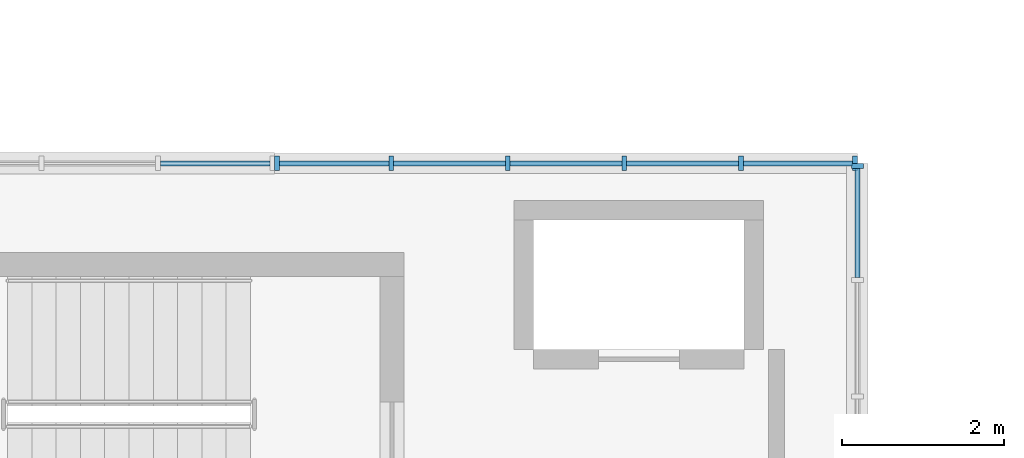
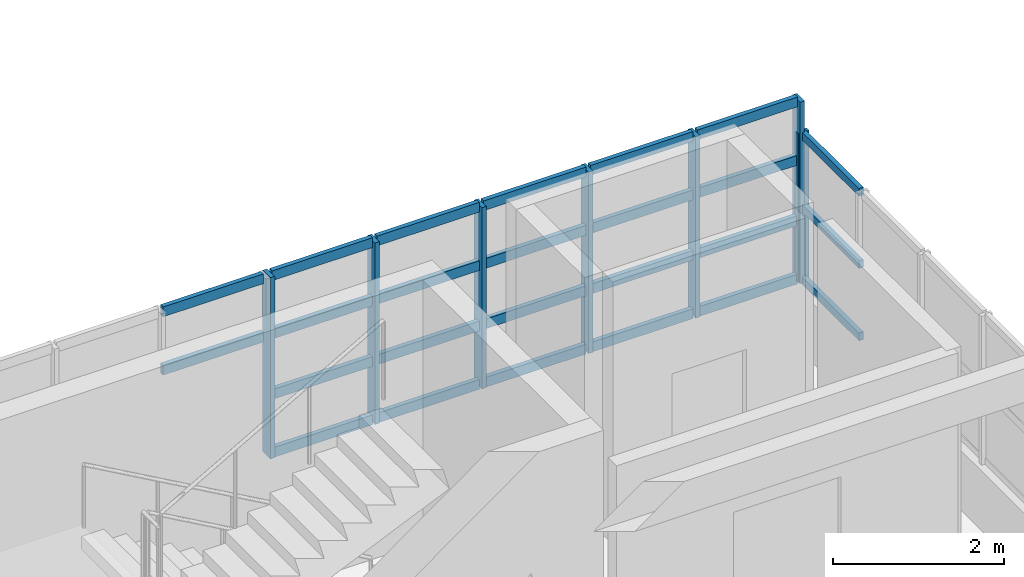
# One storey, part 8 of 53: 32 members, 3 elements without a shape of their own.
"""IFC4 building model written with IfcOpenShell, lengths in metres."""

from ifc_helpers import new_model, si_unit, direction, frame, origin, origin_2d, place, context, subcontext, project, spatial, rectangle, extrude, material, material_profile, profile_set, type_object, element, aggregate, save


model = new_model("IFC4")

# Units and contexts
model_context = context("Model", 3, precision=1e-05, world=origin(), true_north=direction((0.0, 1.0)))
body_context = subcontext(model_context, "Body", "Model", "MODEL_VIEW")
ifc_project = project(units=[si_unit("LENGTHUNIT", "METRE"), si_unit("AREAUNIT", "SQUARE_METRE"), si_unit("VOLUMEUNIT", "CUBIC_METRE"), si_unit("PLANEANGLEUNIT", "RADIAN"), si_unit("MASSUNIT", "GRAM", prefix="KILO")], contexts=[model_context])

# Site, building, storey
site_placement = place(None, origin())
site = spatial("IfcSite", under=ifc_project, at=site_placement, CompositionType="ELEMENT")
building_placement = place(site_placement, origin())
building = spatial("IfcBuilding", under=site, at=building_placement, Name="Nzembalo Square Collegiate School", CompositionType="ELEMENT")
storey_placement = place(building_placement, frame((0.0, 0.0, 13.60009765625)))
storey = spatial("IfcBuildingStorey", under=building, at=storey_placement, Name="L03", CompositionType="ELEMENT", Elevation=13.60009765625)

# Curtain wall, members
ifc_material_1 = material(Name="Aluminium 6060-T66", Category="aluminium")
curtain_wall_type_1 = type_object("IfcCurtainWallType", Name="CW-10", PredefinedType="USERDEFINED", material=ifc_material_1)
curtain_wall_1_placement = place(storey_placement, origin())
curtain_wall_1 = element("IfcCurtainWall", 1, at=curtain_wall_1_placement, inside=storey, type_object=curtain_wall_type_1, Name="Curtain wall CW-10 cw:L03:129", ObjectType="UNITISED", PredefinedType="USERDEFINED")
ifc_material_2 = material(Name="Aluminium 6060-T66", Category="aluminium")
ifc_material_profile_1 = material_profile(ifc_material_2, rectangle(XDim=0.06005859375, YDim=0.179931640625, at=origin_2d()), Name="ALU M60x180")
ifc_profile_set_1 = profile_set([ifc_material_profile_1], Name="Aluminium 6060-T66")
member_type_1 = type_object("IfcMemberType", Name="ML01", PredefinedType="MULLION", material=ifc_profile_set_1)
member_1_placement = place(storey_placement, frame((30.030029296875, 88.800048828125, 0.849853515625), z_axis=(0.0, 0.0, 1.0), x_axis=(1.0, 0.0, 0.0)))
member_1 = element("IfcMember", 2, at=member_1_placement, type_object=member_type_1, Name="ML01 mullion 1", PredefinedType="MULLION", context=body_context, shape_type="SweptSolid", body=[
    extrude(rectangle(XDim=0.06005859375, YDim=0.179931640625, at=origin_2d()), origin(), (0.0, 0.0, 1.0), 2.583984375),
])
member_2_placement = place(storey_placement, frame((31.43994140625, 88.800048828125, 0.849853515625), z_axis=(0.0, 0.0, 1.0), x_axis=(1.0, 0.0, 0.0)))
member_2 = element("IfcMember", 3, at=member_2_placement, type_object=member_type_1, Name="ML01 mullion 2", PredefinedType="MULLION", context=body_context, shape_type="SweptSolid", body=[
    extrude(rectangle(XDim=0.06005859375, YDim=0.179931640625, at=origin_2d()), origin(), (0.0, 0.0, 1.0), 2.583984375),
])
member_3_placement = place(storey_placement, frame((32.8798828125, 88.800048828125, 0.849853515625), z_axis=(0.0, 0.0, 1.0), x_axis=(1.0, 0.0, 0.0)))
member_3 = element("IfcMember", 4, at=member_3_placement, type_object=member_type_1, Name="ML01 mullion 3", PredefinedType="MULLION", context=body_context, shape_type="SweptSolid", body=[
    extrude(rectangle(XDim=0.06005859375, YDim=0.179931640625, at=origin_2d()), origin(), (0.0, 0.0, 1.0), 2.583984375),
])
member_4_placement = place(storey_placement, frame((34.320068359375, 88.800048828125, 0.849853515625), z_axis=(0.0, 0.0, 1.0), x_axis=(1.0, 0.0, 0.0)))
member_4 = element("IfcMember", 5, at=member_4_placement, type_object=member_type_1, Name="ML01 mullion 4", PredefinedType="MULLION", context=body_context, shape_type="SweptSolid", body=[
    extrude(rectangle(XDim=0.06005859375, YDim=0.179931640625, at=origin_2d()), origin(), (0.0, 0.0, 1.0), 2.583984375),
])
member_5_placement = place(storey_placement, frame((35.760009765625, 88.800048828125, 0.849853515625), z_axis=(0.0, 0.0, 1.0), x_axis=(1.0, 0.0, 0.0)))
member_5 = element("IfcMember", 6, at=member_5_placement, type_object=member_type_1, Name="ML01 mullion 5", PredefinedType="MULLION", context=body_context, shape_type="SweptSolid", body=[
    extrude(rectangle(XDim=0.06005859375, YDim=0.179931640625, at=origin_2d()), origin(), (0.0, 0.0, 1.0), 2.583984375),
])
member_6_placement = place(storey_placement, frame((37.169921875, 88.800048828125, 0.849853515625), z_axis=(0.0, 0.0, 1.0), x_axis=(1.0, 0.0, 0.0)))
member_6 = element("IfcMember", 7, at=member_6_placement, type_object=member_type_1, Name="ML01 mullion 6", PredefinedType="MULLION", context=body_context, shape_type="SweptSolid", body=[
    extrude(rectangle(XDim=0.06005859375, YDim=0.179931640625, at=origin_2d()), origin(), (0.0, 0.0, 1.0), 2.583984375),
])

# Curtain wall, member
ifc_material_3 = material(Name="Aluminium 6060-T66", Category="aluminium")
curtain_wall_type_2 = type_object("IfcCurtainWallType", Name="CW-03", PredefinedType="USERDEFINED", material=ifc_material_3)
curtain_wall_2_placement = place(storey_placement, origin())
curtain_wall_2 = element("IfcCurtainWall", 8, at=curtain_wall_2_placement, inside=storey, type_object=curtain_wall_type_2, Name="Curtain wall CW-03 cw:L03:130", ObjectType="UNITISED", PredefinedType="USERDEFINED")
ifc_material_4 = material(Name="Aluminium 6060-T66", Category="aluminium")
ifc_material_profile_2 = material_profile(ifc_material_4, rectangle(XDim=0.06005859375, YDim=0.14990234375, at=origin_2d()), Name="ALU M60x150")
ifc_profile_set_2 = profile_set([ifc_material_profile_2], Name="Aluminium 6060-T66")
member_type_2 = type_object("IfcMemberType", Name="ML02", PredefinedType="MULLION", material=ifc_profile_set_2)
member_7_placement = place(storey_placement, frame((37.199951171875, 88.77001953125, 0.849853515625), z_axis=(0.0, 0.0, 1.0), x_axis=(0.0, 1.0, 0.0)))
member_7 = element("IfcMember", 9, at=member_7_placement, type_object=member_type_2, Name="ML02 mullion 5", PredefinedType="MULLION", context=body_context, shape_type="SweptSolid", body=[
    extrude(rectangle(XDim=0.06005859375, YDim=0.14990234375, at=origin_2d()), origin(), (0.0, 0.0, 1.0), 2.119140625),
])

# Curtain wall, members
ifc_material_5 = material(Name="Aluminium 6060-T66", Category="aluminium")
curtain_wall_type_3 = type_object("IfcCurtainWallType", Name="CW-09", PredefinedType="USERDEFINED", material=ifc_material_5)
curtain_wall_3_placement = place(storey_placement, origin())
curtain_wall_3 = element("IfcCurtainWall", 10, at=curtain_wall_3_placement, inside=storey, type_object=curtain_wall_type_3, Name="Curtain wall CW-09 cw:L03:128", ObjectType="UNITISED", PredefinedType="USERDEFINED")
ifc_material_6 = material(Name="Aluminium 6060-T66", Category="aluminium")
ifc_material_profile_3 = material_profile(ifc_material_6, rectangle(XDim=0.06005859375, YDim=0.139892578125, at=origin_2d()), Name="ALU T60x140")
ifc_profile_set_3 = profile_set([ifc_material_profile_3], Name="Aluminium 6060-T66")
member_type_3 = type_object("IfcMemberType", Name="TR01", PredefinedType="USERDEFINED", material=ifc_profile_set_3)
member_8_placement = place(storey_placement, frame((28.590087890625, 88.800048828125, 2.572509765625), z_axis=(1.0, 0.0, 0.0), x_axis=(0.0, 1.0, 0.0)))
member_8 = element("IfcMember", 11, at=member_8_placement, type_object=member_type_3, Name="TR01 transom 3-5", ObjectType="TRANSOM", PredefinedType="USERDEFINED", context=body_context, shape_type="SweptSolid", body=[
    extrude(rectangle(XDim=0.06005859375, YDim=0.139892578125, at=origin_2d()), origin(), (0.0, 0.0, 1.0), 1.349853515625),
])
member_9_placement = place(storey_placement, frame((28.590087890625, 88.800048828125, 3.40380859375), z_axis=(1.0, 0.0, 0.0), x_axis=(0.0, 1.0, 0.0)))
member_9 = element("IfcMember", 12, at=member_9_placement, type_object=member_type_3, Name="TR01 transom 4-5", ObjectType="TRANSOM", PredefinedType="USERDEFINED", context=body_context, shape_type="SweptSolid", body=[
    extrude(rectangle(XDim=0.06005859375, YDim=0.139892578125, at=origin_2d()), origin(), (0.0, 0.0, 1.0), 1.349853515625),
])
aggregate(curtain_wall_3, [member_8, member_9])

# Member
member_10_placement = place(storey_placement, frame((30.06005859375, 88.800048828125, 0.8798828125), z_axis=(1.0, 0.0, 0.0), x_axis=(0.0, 1.0, 0.0)))
member_10 = element("IfcMember", 13, at=member_10_placement, type_object=member_type_3, Name="TR01 transom 1-1", ObjectType="TRANSOM", PredefinedType="USERDEFINED", context=body_context, shape_type="SweptSolid", body=[
    extrude(rectangle(XDim=0.06005859375, YDim=0.139892578125, at=origin_2d()), origin(), (0.0, 0.0, 1.0), 1.349853515625),
])

member_11_placement = place(storey_placement, frame((31.469970703125, 88.800048828125, 0.8798828125), z_axis=(1.0, 0.0, 0.0), x_axis=(0.0, 1.0, 0.0)))
member_11 = element("IfcMember", 14, at=member_11_placement, type_object=member_type_3, Name="TR01 transom 1-2", ObjectType="TRANSOM", PredefinedType="USERDEFINED", context=body_context, shape_type="SweptSolid", body=[
    extrude(rectangle(XDim=0.06005859375, YDim=0.139892578125, at=origin_2d()), origin(), (0.0, 0.0, 1.0), 1.380126953125),
])

member_12_placement = place(storey_placement, frame((32.909912109375, 88.800048828125, 0.8798828125), z_axis=(1.0, 0.0, 0.0), x_axis=(0.0, 1.0, 0.0)))
member_12 = element("IfcMember", 15, at=member_12_placement, type_object=member_type_3, Name="TR01 transom 1-3", ObjectType="TRANSOM", PredefinedType="USERDEFINED", context=body_context, shape_type="SweptSolid", body=[
    extrude(rectangle(XDim=0.06005859375, YDim=0.139892578125, at=origin_2d()), origin(), (0.0, 0.0, 1.0), 1.380126953125),
])

member_13_placement = place(storey_placement, frame((34.35009765625, 88.800048828125, 0.8798828125), z_axis=(1.0, 0.0, 0.0), x_axis=(0.0, 1.0, 0.0)))
member_13 = element("IfcMember", 16, at=member_13_placement, type_object=member_type_3, Name="TR01 transom 1-4", ObjectType="TRANSOM", PredefinedType="USERDEFINED", context=body_context, shape_type="SweptSolid", body=[
    extrude(rectangle(XDim=0.06005859375, YDim=0.139892578125, at=origin_2d()), origin(), (0.0, 0.0, 1.0), 1.3798828125),
])

member_14_placement = place(storey_placement, frame((35.7900390625, 88.800048828125, 0.8798828125), z_axis=(1.0, 0.0, 0.0), x_axis=(0.0, 1.0, 0.0)))
member_14 = element("IfcMember", 17, at=member_14_placement, type_object=member_type_3, Name="TR01 transom 1-5", ObjectType="TRANSOM", PredefinedType="USERDEFINED", context=body_context, shape_type="SweptSolid", body=[
    extrude(rectangle(XDim=0.06005859375, YDim=0.139892578125, at=origin_2d()), origin(), (0.0, 0.0, 1.0), 1.349853515625),
])

member_15_placement = place(storey_placement, frame((30.06005859375, 88.800048828125, 1.711181640625), z_axis=(1.0, 0.0, 0.0), x_axis=(0.0, 1.0, 0.0)))
member_15 = element("IfcMember", 18, at=member_15_placement, type_object=member_type_3, Name="TR01 transom 2-1", ObjectType="TRANSOM", PredefinedType="USERDEFINED", context=body_context, shape_type="SweptSolid", body=[
    extrude(rectangle(XDim=0.06005859375, YDim=0.139892578125, at=origin_2d()), origin(), (0.0, 0.0, 1.0), 1.349853515625),
])

member_16_placement = place(storey_placement, frame((31.469970703125, 88.800048828125, 1.711181640625), z_axis=(1.0, 0.0, 0.0), x_axis=(0.0, 1.0, 0.0)))
member_16 = element("IfcMember", 19, at=member_16_placement, type_object=member_type_3, Name="TR01 transom 2-2", ObjectType="TRANSOM", PredefinedType="USERDEFINED", context=body_context, shape_type="SweptSolid", body=[
    extrude(rectangle(XDim=0.06005859375, YDim=0.139892578125, at=origin_2d()), origin(), (0.0, 0.0, 1.0), 1.380126953125),
])

member_17_placement = place(storey_placement, frame((32.909912109375, 88.800048828125, 1.711181640625), z_axis=(1.0, 0.0, 0.0), x_axis=(0.0, 1.0, 0.0)))
member_17 = element("IfcMember", 20, at=member_17_placement, type_object=member_type_3, Name="TR01 transom 2-3", ObjectType="TRANSOM", PredefinedType="USERDEFINED", context=body_context, shape_type="SweptSolid", body=[
    extrude(rectangle(XDim=0.06005859375, YDim=0.139892578125, at=origin_2d()), origin(), (0.0, 0.0, 1.0), 1.380126953125),
])

member_18_placement = place(storey_placement, frame((34.35009765625, 88.800048828125, 1.711181640625), z_axis=(1.0, 0.0, 0.0), x_axis=(0.0, 1.0, 0.0)))
member_18 = element("IfcMember", 21, at=member_18_placement, type_object=member_type_3, Name="TR01 transom 2-4", ObjectType="TRANSOM", PredefinedType="USERDEFINED", context=body_context, shape_type="SweptSolid", body=[
    extrude(rectangle(XDim=0.06005859375, YDim=0.139892578125, at=origin_2d()), origin(), (0.0, 0.0, 1.0), 1.3798828125),
])

member_19_placement = place(storey_placement, frame((35.7900390625, 88.800048828125, 1.711181640625), z_axis=(1.0, 0.0, 0.0), x_axis=(0.0, 1.0, 0.0)))
member_19 = element("IfcMember", 22, at=member_19_placement, type_object=member_type_3, Name="TR01 transom 2-5", ObjectType="TRANSOM", PredefinedType="USERDEFINED", context=body_context, shape_type="SweptSolid", body=[
    extrude(rectangle(XDim=0.06005859375, YDim=0.139892578125, at=origin_2d()), origin(), (0.0, 0.0, 1.0), 1.349853515625),
])

member_20_placement = place(storey_placement, frame((30.06005859375, 88.800048828125, 2.572509765625), z_axis=(1.0, 0.0, 0.0), x_axis=(0.0, 1.0, 0.0)))
member_20 = element("IfcMember", 23, at=member_20_placement, type_object=member_type_3, Name="TR01 transom 3-1", ObjectType="TRANSOM", PredefinedType="USERDEFINED", context=body_context, shape_type="SweptSolid", body=[
    extrude(rectangle(XDim=0.06005859375, YDim=0.139892578125, at=origin_2d()), origin(), (0.0, 0.0, 1.0), 1.349853515625),
])

member_21_placement = place(storey_placement, frame((31.469970703125, 88.800048828125, 2.572509765625), z_axis=(1.0, 0.0, 0.0), x_axis=(0.0, 1.0, 0.0)))
member_21 = element("IfcMember", 24, at=member_21_placement, type_object=member_type_3, Name="TR01 transom 3-2", ObjectType="TRANSOM", PredefinedType="USERDEFINED", context=body_context, shape_type="SweptSolid", body=[
    extrude(rectangle(XDim=0.06005859375, YDim=0.139892578125, at=origin_2d()), origin(), (0.0, 0.0, 1.0), 1.380126953125),
])

member_22_placement = place(storey_placement, frame((32.909912109375, 88.800048828125, 2.572509765625), z_axis=(1.0, 0.0, 0.0), x_axis=(0.0, 1.0, 0.0)))
member_22 = element("IfcMember", 25, at=member_22_placement, type_object=member_type_3, Name="TR01 transom 3-3", ObjectType="TRANSOM", PredefinedType="USERDEFINED", context=body_context, shape_type="SweptSolid", body=[
    extrude(rectangle(XDim=0.06005859375, YDim=0.139892578125, at=origin_2d()), origin(), (0.0, 0.0, 1.0), 1.380126953125),
])

member_23_placement = place(storey_placement, frame((34.35009765625, 88.800048828125, 2.572509765625), z_axis=(1.0, 0.0, 0.0), x_axis=(0.0, 1.0, 0.0)))
member_23 = element("IfcMember", 26, at=member_23_placement, type_object=member_type_3, Name="TR01 transom 3-4", ObjectType="TRANSOM", PredefinedType="USERDEFINED", context=body_context, shape_type="SweptSolid", body=[
    extrude(rectangle(XDim=0.06005859375, YDim=0.139892578125, at=origin_2d()), origin(), (0.0, 0.0, 1.0), 1.3798828125),
])

member_24_placement = place(storey_placement, frame((35.7900390625, 88.800048828125, 2.572509765625), z_axis=(1.0, 0.0, 0.0), x_axis=(0.0, 1.0, 0.0)))
member_24 = element("IfcMember", 27, at=member_24_placement, type_object=member_type_3, Name="TR01 transom 3-5", ObjectType="TRANSOM", PredefinedType="USERDEFINED", context=body_context, shape_type="SweptSolid", body=[
    extrude(rectangle(XDim=0.06005859375, YDim=0.139892578125, at=origin_2d()), origin(), (0.0, 0.0, 1.0), 1.349853515625),
])

member_25_placement = place(storey_placement, frame((30.06005859375, 88.800048828125, 3.40380859375), z_axis=(1.0, 0.0, 0.0), x_axis=(0.0, 1.0, 0.0)))
member_25 = element("IfcMember", 28, at=member_25_placement, type_object=member_type_3, Name="TR01 transom 4-1", ObjectType="TRANSOM", PredefinedType="USERDEFINED", context=body_context, shape_type="SweptSolid", body=[
    extrude(rectangle(XDim=0.06005859375, YDim=0.139892578125, at=origin_2d()), origin(), (0.0, 0.0, 1.0), 1.349853515625),
])

member_26_placement = place(storey_placement, frame((31.469970703125, 88.800048828125, 3.40380859375), z_axis=(1.0, 0.0, 0.0), x_axis=(0.0, 1.0, 0.0)))
member_26 = element("IfcMember", 29, at=member_26_placement, type_object=member_type_3, Name="TR01 transom 4-2", ObjectType="TRANSOM", PredefinedType="USERDEFINED", context=body_context, shape_type="SweptSolid", body=[
    extrude(rectangle(XDim=0.06005859375, YDim=0.139892578125, at=origin_2d()), origin(), (0.0, 0.0, 1.0), 1.380126953125),
])

member_27_placement = place(storey_placement, frame((32.909912109375, 88.800048828125, 3.40380859375), z_axis=(1.0, 0.0, 0.0), x_axis=(0.0, 1.0, 0.0)))
member_27 = element("IfcMember", 30, at=member_27_placement, type_object=member_type_3, Name="TR01 transom 4-3", ObjectType="TRANSOM", PredefinedType="USERDEFINED", context=body_context, shape_type="SweptSolid", body=[
    extrude(rectangle(XDim=0.06005859375, YDim=0.139892578125, at=origin_2d()), origin(), (0.0, 0.0, 1.0), 1.380126953125),
])

member_28_placement = place(storey_placement, frame((34.35009765625, 88.800048828125, 3.40380859375), z_axis=(1.0, 0.0, 0.0), x_axis=(0.0, 1.0, 0.0)))
member_28 = element("IfcMember", 31, at=member_28_placement, type_object=member_type_3, Name="TR01 transom 4-4", ObjectType="TRANSOM", PredefinedType="USERDEFINED", context=body_context, shape_type="SweptSolid", body=[
    extrude(rectangle(XDim=0.06005859375, YDim=0.139892578125, at=origin_2d()), origin(), (0.0, 0.0, 1.0), 1.3798828125),
])

member_29_placement = place(storey_placement, frame((35.7900390625, 88.800048828125, 3.40380859375), z_axis=(1.0, 0.0, 0.0), x_axis=(0.0, 1.0, 0.0)))
member_29 = element("IfcMember", 32, at=member_29_placement, type_object=member_type_3, Name="TR01 transom 4-5", ObjectType="TRANSOM", PredefinedType="USERDEFINED", context=body_context, shape_type="SweptSolid", body=[
    extrude(rectangle(XDim=0.06005859375, YDim=0.139892578125, at=origin_2d()), origin(), (0.0, 0.0, 1.0), 1.349853515625),
])

aggregate(curtain_wall_1, [member_1, member_2, member_3, member_4, member_5, member_6, member_10, member_11, member_12, member_13, member_14, member_15, member_16, member_17, member_18, member_19, member_20, member_21, member_22, member_23, member_24, member_25, member_26, member_27, member_28, member_29])

ifc_material_7 = material(Name="Aluminium 6060-T66", Category="aluminium")
ifc_material_profile_4 = material_profile(ifc_material_7, rectangle(XDim=0.06005859375, YDim=0.110107421875, at=origin_2d()), Name="ALU T60x110")
ifc_profile_set_4 = profile_set([ifc_material_profile_4], Name="Aluminium 6060-T66")
member_type_4 = type_object("IfcMemberType", Name="TR02", PredefinedType="USERDEFINED", material=ifc_profile_set_4)
member_30_placement = place(storey_placement, frame((37.199951171875, 87.390380859375, 0.8798828125), z_axis=(0.0, 1.0, 0.0), x_axis=(-1.0, 0.0, 0.0)))
member_30 = element("IfcMember", 33, at=member_30_placement, type_object=member_type_4, Name="TR02 transom 1-4", ObjectType="TRANSOM", PredefinedType="USERDEFINED", context=body_context, shape_type="SweptSolid", body=[
    extrude(rectangle(XDim=0.06005859375, YDim=0.110107421875, at=origin_2d()), origin(), (0.0, 0.0, 1.0), 1.349609375),
])

member_31_placement = place(storey_placement, frame((37.199951171875, 87.390380859375, 1.909423828125), z_axis=(0.0, 1.0, 0.0), x_axis=(-1.0, 0.0, 0.0)))
member_31 = element("IfcMember", 34, at=member_31_placement, type_object=member_type_4, Name="TR02 transom 2-4", ObjectType="TRANSOM", PredefinedType="USERDEFINED", context=body_context, shape_type="SweptSolid", body=[
    extrude(rectangle(XDim=0.06005859375, YDim=0.110107421875, at=origin_2d()), origin(), (0.0, 0.0, 1.0), 1.349609375),
])

member_32_placement = place(storey_placement, frame((37.199951171875, 87.390380859375, 2.93896484375), z_axis=(0.0, 1.0, 0.0), x_axis=(-1.0, 0.0, 0.0)))
member_32 = element("IfcMember", 35, at=member_32_placement, type_object=member_type_4, Name="TR02 transom 3-4", ObjectType="TRANSOM", PredefinedType="USERDEFINED", context=body_context, shape_type="SweptSolid", body=[
    extrude(rectangle(XDim=0.06005859375, YDim=0.110107421875, at=origin_2d()), origin(), (0.0, 0.0, 1.0), 1.349609375),
])

aggregate(curtain_wall_2, [member_7, member_30, member_31, member_32])

save(model, "model.ifc")
